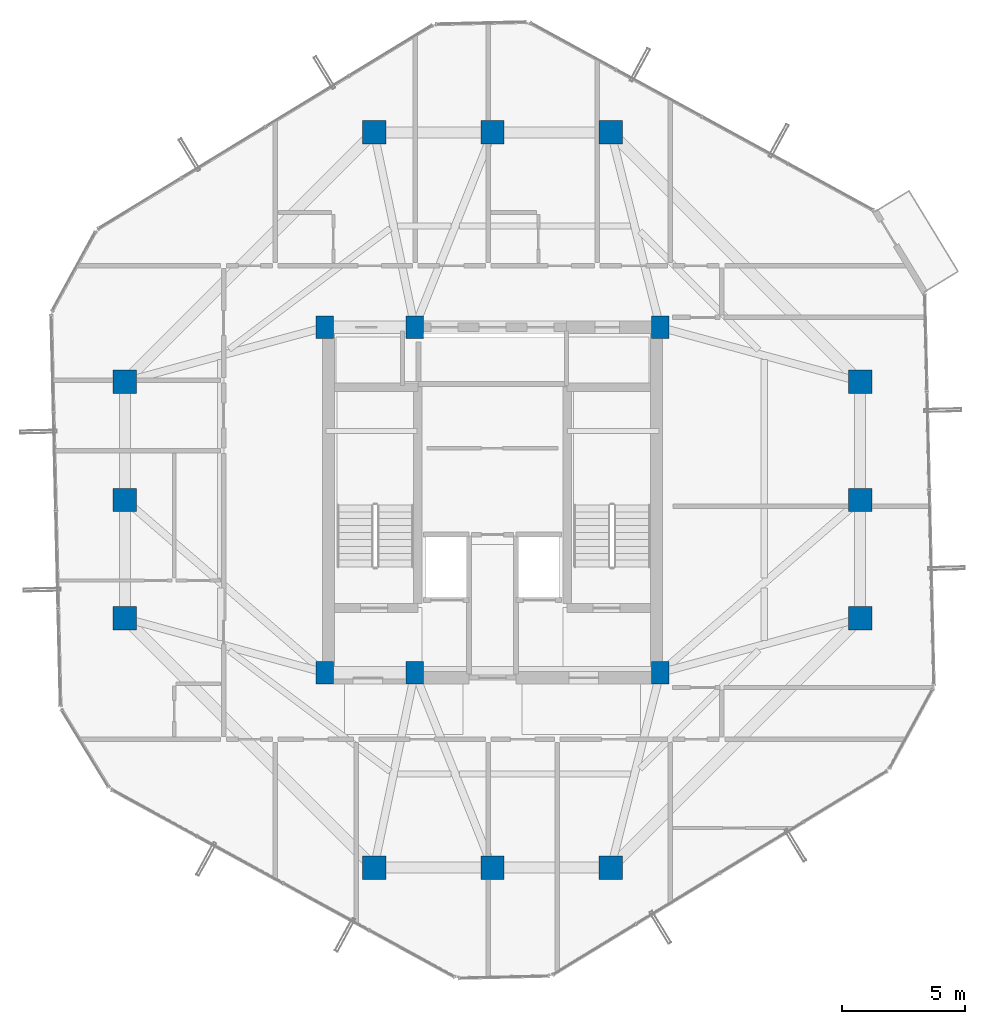
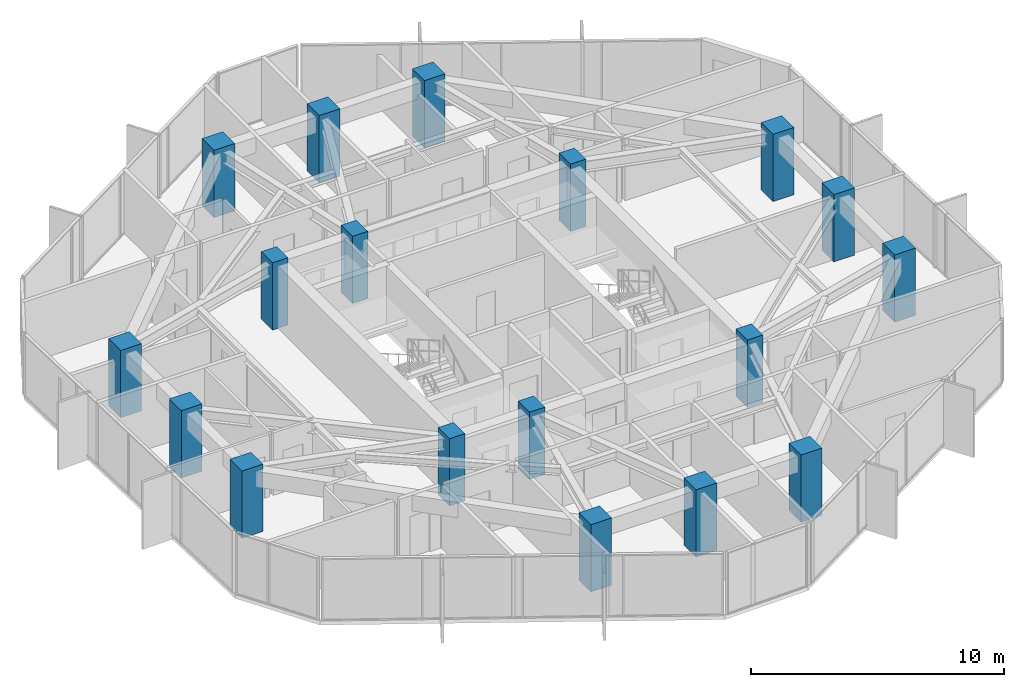
# One storey, part 1 of 32: 18 columns.
"""IFC4 building model written with IfcOpenShell, lengths in metres."""

from ifc_helpers import new_model, si_unit, direction, frame, origin, origin_2d, place, context, subcontext, project, spatial, rectangle, extrude, material, material_profile, profile_set, type_object, element, save


model = new_model("IFC4")

# Units and contexts
model_context = context("Model", 3, precision=1e-05, world=origin(), true_north=direction((0.0, 1.0)))
body_context = subcontext(model_context, "Body", "Model", "MODEL_VIEW")
ifc_project = project(units=[si_unit("LENGTHUNIT", "METRE"), si_unit("AREAUNIT", "SQUARE_METRE"), si_unit("VOLUMEUNIT", "CUBIC_METRE"), si_unit("PLANEANGLEUNIT", "RADIAN"), si_unit("MASSUNIT", "GRAM", prefix="KILO")], contexts=[model_context])

# Site, building, storey
site_placement = place(None, origin())
site = spatial("IfcSite", under=ifc_project, at=site_placement, CompositionType="ELEMENT")
building_placement = place(site_placement, origin())
building = spatial("IfcBuilding", under=site, at=building_placement, Name="Veraguas Prism Commons", CompositionType="ELEMENT")
storey_placement = place(building_placement, frame((0.0, 0.0, 201.60009765625)))
storey = spatial("IfcBuildingStorey", under=building, at=storey_placement, Name="L57", CompositionType="ELEMENT", Elevation=201.60009765625)

# Columns
ifc_material = material(Name="Concrete C50/60", Category="concrete")
ifc_material_profile_1 = material_profile(ifc_material, rectangle(XDim=0.949951171875, YDim=0.949951171875, at=origin_2d()), Name="RC950X950")
ifc_profile_set_1 = profile_set([ifc_material_profile_1], Name="Concrete C50/60")
column_type_1 = type_object("IfcColumnType", Name="Column Tube Z3 RC 950x950", PredefinedType="COLUMN", material=ifc_profile_set_1)
for number, where, z_axis, x_axis, name in (
    (1, (38.89990234375, 19.199951171875, 0.0), (0.0, 0.0, 1.0), (1.0, 0.0, 0.0), "Tower Perimeter Column L57-TB01"),
    (2, (38.89990234375, 24.0, 0.0), (0.0, 0.0, 1.0), (1.0, 0.0, 0.0), "Tower Perimeter Column L57-TB02"),
    (3, (38.89990234375, 28.800048828125, 0.0), (0.0, 0.0, 1.0), (1.0, 0.0, 0.0), "Tower Perimeter Column L57-TB03"),
    (4, (28.800048828125, 38.89990234375, 0.0), (0.0, 0.0, 1.0), (1.0, 0.0, 0.0), "Tower Perimeter Column L57-TB04"),
    (5, (24.0, 38.89990234375, 0.0), (0.0, 0.0, 1.0), (1.0, 0.0, 0.0), "Tower Perimeter Column L57-TB05"),
    (6, (19.199951171875, 38.89990234375, 0.0), (0.0, 0.0, 1.0), (1.0, 0.0, 0.0), "Tower Perimeter Column L57-TB06"),
    (7, (9.10009765625, 28.800048828125, 0.0), (0.0, 0.0, 1.0), (1.0, 0.0, 0.0), "Tower Perimeter Column L57-TB07"),
    (8, (9.10009765625, 24.0, 0.0), (0.0, 0.0, 1.0), (1.0, 0.0, 0.0), "Tower Perimeter Column L57-TB08"),
    (9, (9.10009765625, 19.199951171875, 0.0), (0.0, 0.0, 1.0), (1.0, 0.0, 0.0), "Tower Perimeter Column L57-TB09"),
    (10, (19.199951171875, 9.10009765625, 0.0), (0.0, 0.0, 1.0), (1.0, 0.0, 0.0), "Tower Perimeter Column L57-TB10"),
    (11, (24.0, 9.10009765625, 0.0), (0.0, 0.0, 1.0), (1.0, 0.0, 0.0), "Tower Perimeter Column L57-TB11"),
    (12, (28.800048828125, 9.10009765625, 0.0), (0.0, 0.0, 1.0), (1.0, 0.0, 0.0), "Tower Perimeter Column L57-TB12"),
):
    element("IfcColumn", number, at=place(storey_placement, frame(where, z_axis=z_axis, x_axis=x_axis)), inside=storey, type_object=column_type_1, Name=name, PredefinedType="COLUMN", context=body_context, shape_type="SweptSolid", body=[
        extrude(rectangle(XDim=0.949951171875, YDim=0.949951171875, at=origin_2d()), origin(), (0.0, 0.0, 1.0), 3.25),
    ])
ifc_material_profile_2 = material_profile(ifc_material, rectangle(XDim=0.699951171875, YDim=0.89990234375, at=origin_2d()), Name="RC700X900")
ifc_profile_set_2 = profile_set([ifc_material_profile_2], Name="Concrete C50/60")
column_type_2 = type_object("IfcColumnType", Name="Pilaster Core Upper RC 700x900", PredefinedType="PILASTER", material=ifc_profile_set_2)
for number, where, z_axis, x_axis, name in (
    (13, (17.199951171875, 17.0, 0.0), (0.0, 0.0, 1.0), (1.0, 0.0, 0.0), "Core Pilaster Column L57-CR1"),
    (14, (20.85009765625, 17.0, 0.0), (0.0, 0.0, 1.0), (1.0, 0.0, 0.0), "Core Pilaster Column L57-CR2"),
    (15, (30.800048828125, 17.0, 0.0), (0.0, 0.0, 1.0), (1.0, 0.0, 0.0), "Core Pilaster Column L57-CR3"),
    (16, (17.199951171875, 31.0, 0.0), (0.0, 0.0, 1.0), (1.0, 0.0, 0.0), "Core Pilaster Column L57-CR4"),
    (17, (20.85009765625, 31.0, 0.0), (0.0, 0.0, 1.0), (1.0, 0.0, 0.0), "Core Pilaster Column L57-CR5"),
    (18, (30.800048828125, 31.0, 0.0), (0.0, 0.0, 1.0), (1.0, 0.0, 0.0), "Core Pilaster Column L57-CR6"),
):
    element("IfcColumn", number, at=place(storey_placement, frame(where, z_axis=z_axis, x_axis=x_axis)), inside=storey, type_object=column_type_2, Name=name, PredefinedType="PILASTER", context=body_context, shape_type="SweptSolid", body=[
        extrude(rectangle(XDim=0.699951171875, YDim=0.89990234375, at=origin_2d()), origin(), (0.0, 0.0, 1.0), 3.25),
    ])

save(model, "model.ifc")
